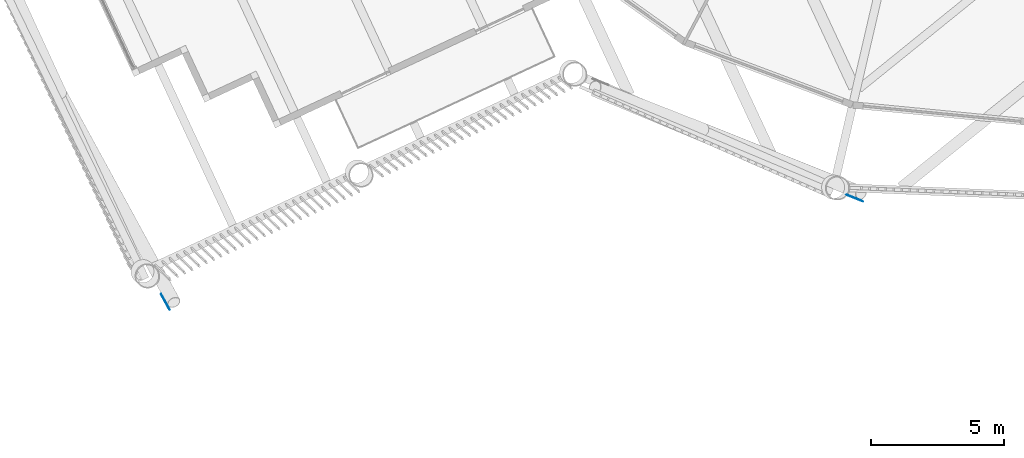
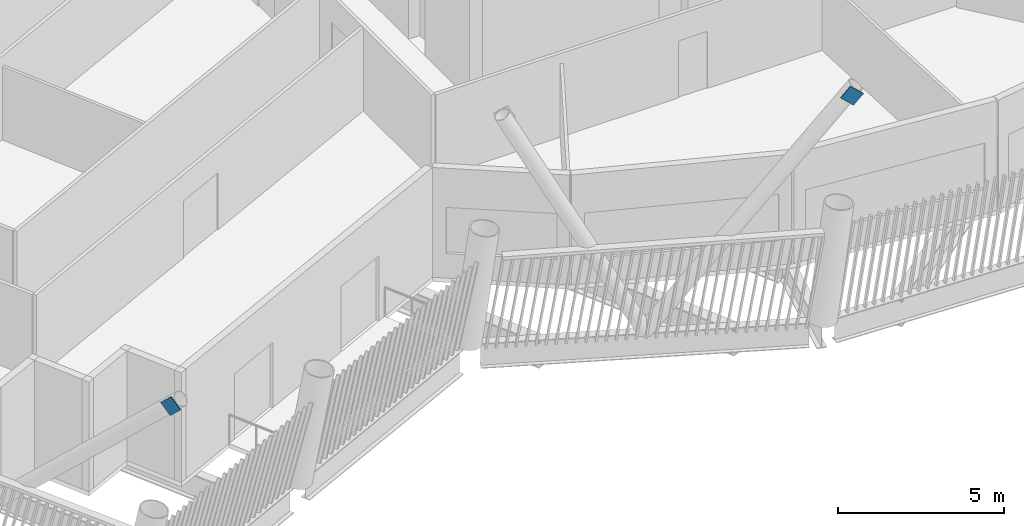
# One storey, part 22 of 36: 2 discrete accessories.
"""IFC4 building model written with IfcOpenShell, lengths in metres."""

from ifc_helpers import new_model, si_unit, direction, frame, origin, origin_2d, place, context, subcontext, project, spatial, rectangle, extrude, material, material_profile, profile_set, type_object, element, save


model = new_model("IFC4")

# Units and contexts
model_context = context("Model", 3, precision=1e-05, world=origin(), true_north=direction((0.0, 1.0)))
body_context = subcontext(model_context, "Body", "Model", "MODEL_VIEW")
ifc_project = project(units=[si_unit("LENGTHUNIT", "METRE"), si_unit("AREAUNIT", "SQUARE_METRE"), si_unit("VOLUMEUNIT", "CUBIC_METRE"), si_unit("PLANEANGLEUNIT", "RADIAN"), si_unit("MASSUNIT", "GRAM", prefix="KILO")], contexts=[model_context])

# Site, building, storey
site_placement = place(None, origin())
site = spatial("IfcSite", under=ifc_project, at=site_placement, CompositionType="ELEMENT")
building_placement = place(site_placement, origin())
building = spatial("IfcBuilding", under=site, at=building_placement, Name="Tarsis Ring Headquarters", CompositionType="ELEMENT")
storey_placement = place(building_placement, frame((0.0, 0.0, 386.0)))
storey = spatial("IfcBuildingStorey", under=building, at=storey_placement, Name="L91", CompositionType="ELEMENT", Elevation=386.0)

# Discrete accessories
ifc_material = material(Name="Structural steel S355", Category="steel")
ifc_material_profile = material_profile(ifc_material, rectangle(XDim=0.02490234375, YDim=0.5, at=origin_2d()), Name="PL 25x500")
ifc_profile_set = profile_set([ifc_material_profile], Name="Structural steel S355")
discrete_accessory_type = type_object("IfcDiscreteAccessoryType", Name="Gusset plate Exo brace 25", PredefinedType="BRACKET", material=ifc_profile_set)
for number, where, z_axis, x_axis, name in (
    (1, (-31.627197265625, -32.76708984375, 8.39990234375), (-0.349193324218, 0.640757540384, -0.683735180288), (-0.878074550366, -0.478523859384, 0.0), "Gusset plate GP5"),
    (2, (-5.621826171875, -28.76611328125, 8.39990234375), (-0.563945079214, 0.225578031685, -0.794405752278), (-0.371390676354, -0.928476690885, 0.0), "Gusset plate GP5"),
):
    element("IfcDiscreteAccessory", number, at=place(storey_placement, frame(where, z_axis=z_axis, x_axis=x_axis)), inside=storey, type_object=discrete_accessory_type, Name=name, PredefinedType="BRACKET", context=body_context, shape_type="SweptSolid", body=[
        extrude(rectangle(XDim=0.02490234375, YDim=0.5, at=origin_2d()), origin(), (0.0, 0.0, 1.0), 0.5),
    ])

save(model, "model.ifc")
